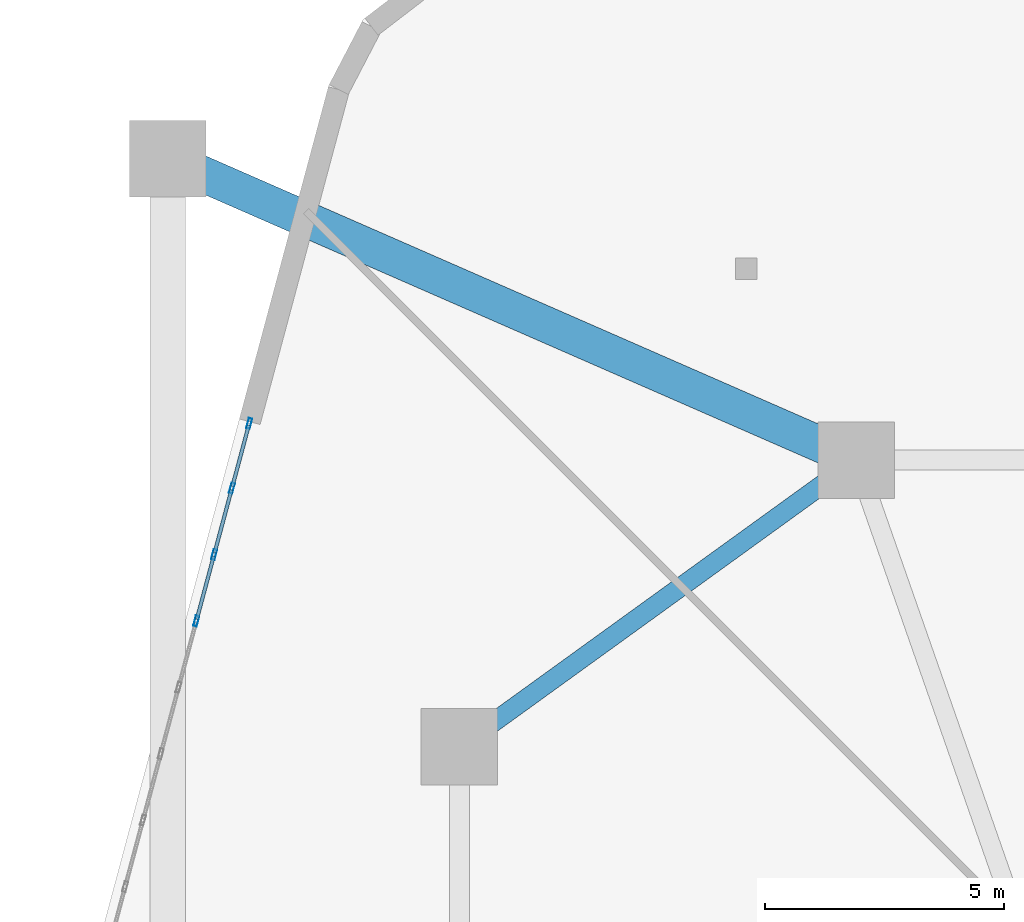
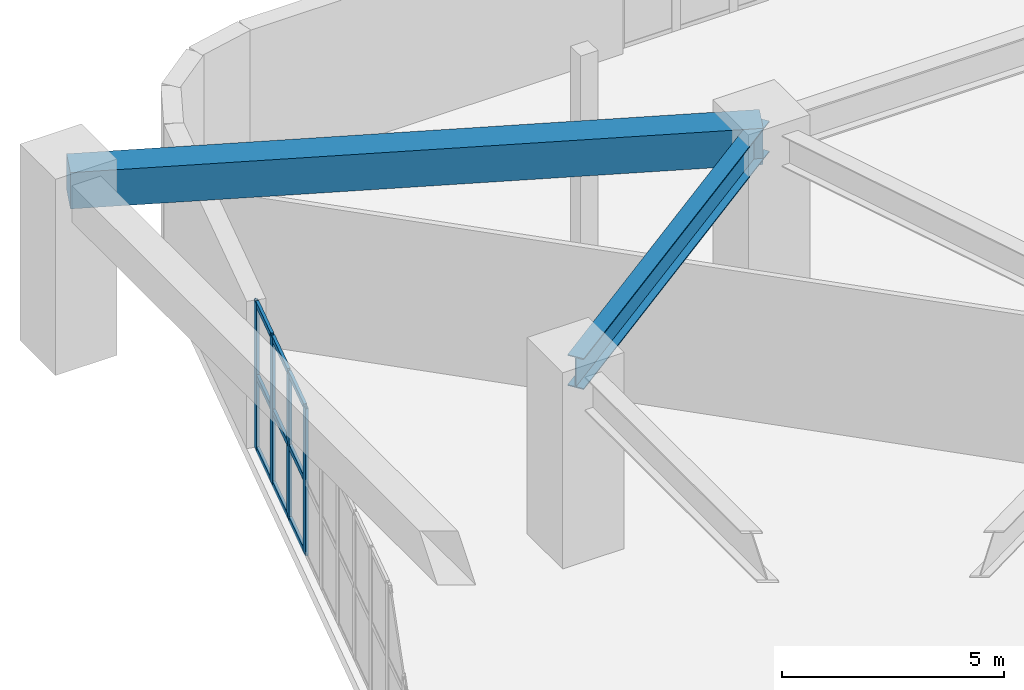
# One storey, part 17 of 34: 13 members, 2 beams, 1 element without a shape of its own.
"""IFC4 building model written with IfcOpenShell, lengths in metres."""

from ifc_helpers import new_model, si_unit, direction, frame, origin, origin_2d, place, context, subcontext, project, spatial, rectangle, hollow_rectangle, i_section, extrude, material, layer, layer_set, material_profile, profile_set, type_object, element, aggregate, save


model = new_model("IFC4")

# Units and contexts
model_context = context("Model", 3, precision=1e-05, world=origin(), true_north=direction((0.0, 1.0)))
body_context = subcontext(model_context, "Body", "Model", "MODEL_VIEW")
ifc_project = project(units=[si_unit("LENGTHUNIT", "METRE"), si_unit("AREAUNIT", "SQUARE_METRE"), si_unit("VOLUMEUNIT", "CUBIC_METRE"), si_unit("PLANEANGLEUNIT", "RADIAN"), si_unit("MASSUNIT", "GRAM", prefix="KILO")], contexts=[model_context])

# Site, building, storey
site_placement = place(None, origin())
site = spatial("IfcSite", under=ifc_project, at=site_placement, CompositionType="ELEMENT")
building_placement = place(site_placement, origin())
building = spatial("IfcBuilding", under=site, at=building_placement, Name="Kilnhurst Terrace Hotel", CompositionType="ELEMENT")
storey_placement = place(building_placement, frame((0.0, 0.0, 6.0)))
storey = spatial("IfcBuildingStorey", under=building, at=storey_placement, Name="L01", CompositionType="ELEMENT", Elevation=6.0)

# Beam
ifc_material_1 = material(Name="Steel ASTM A992 Grade 50", Category="steel")
ifc_material_profile_1 = material_profile(ifc_material_1, i_section(OverallWidth=0.39990234375, OverallDepth=0.85546875, WebThickness=0.018310546875, FlangeThickness=0.029296875, at=origin_2d()), Name="W33X201")
ifc_profile_set_1 = profile_set([ifc_material_profile_1], Name="Steel ASTM A992 Grade 50")
beam_type_1 = type_object("IfcBeamType", Name="BM-STL-W33X201", PredefinedType="BEAM", material=ifc_profile_set_1)
beam_1_placement = place(storey_placement, frame((-21.5, 13.5, 4.652099609375), z_axis=(0.810423314702, 0.585844732833, 0.0), x_axis=(-0.585844732833, 0.810423314702, 0.0)))
element("IfcBeam", 1, at=beam_1_placement, inside=storey, type_object=beam_type_1, Name="L01 Podium Frame Beam 3", PredefinedType="BEAM", context=body_context, shape_type="SweptSolid", body=[
    extrude(i_section(OverallWidth=0.39990234375, OverallDepth=0.85546875, WebThickness=0.018310546875, FlangeThickness=0.029296875, at=origin_2d()), origin(), (0.0, 0.0, 1.0), 10.24169921875),
])

# Curtain wall, members
ifc_material_2 = material(Name="Anodized Aluminium Alloy 6063-T6 and Low-E Glass", Category="aluminium")
ifc_layer = layer(ifc_material_2, 0.219970703125, Name="Anodized Aluminium Alloy 6063-T6 and Low-E Glass")
ifc_layer_set = layer_set([ifc_layer], Name="Anodized Aluminium Alloy 6063-T6 and Low-E Glass")
curtain_wall_type = type_object("IfcCurtainWallType", Name="CW-POD-LOBBY", PredefinedType="NOTDEFINED", material=ifc_layer_set)
curtain_wall_placement = place(storey_placement, origin())
curtain_wall = element("IfcCurtainWall", 2, at=curtain_wall_placement, inside=storey, type_object=curtain_wall_type, Name="L01 Curtain Wall CW-L01-F5-1", PredefinedType="NOTDEFINED")
ifc_material_3 = material(Name="Extruded Aluminium Alloy 6063-T6", Category="aluminium")
ifc_material_profile_2 = material_profile(ifc_material_3, hollow_rectangle(XDim=0.074951171875, YDim=0.219970703125, WallThickness=0.00390625, at=origin_2d()), Name="CWM75X220")
ifc_profile_set_2 = profile_set([ifc_material_profile_2], Name="Extruded Aluminium Alloy 6063-T6")
member_type_1 = type_object("IfcMemberType", Name="MEM-CWM75X220", PredefinedType="MULLION", material=ifc_profile_set_2)
member_1_placement = place(storey_placement, frame((-25.89501953125, 20.266357421875, 0.0), z_axis=(0.0, 0.0, 1.0), x_axis=(0.965930332636, -0.258802226601, 0.0)))
member_1 = element("IfcMember", 3, at=member_1_placement, type_object=member_type_1, Name="CWL-1 mullion 1", PredefinedType="MULLION", context=body_context, shape_type="SweptSolid", body=[
    extrude(hollow_rectangle(XDim=0.074951171875, YDim=0.219970703125, WallThickness=0.00390625, at=origin_2d()), origin(), (0.0, 0.0, 1.0), 4.050048828125),
])
member_2_placement = place(storey_placement, frame((-26.257568359375, 18.913330078125, 0.0), z_axis=(0.0, 0.0, 1.0), x_axis=(0.965930332636, -0.258802226601, 0.0)))
member_2 = element("IfcMember", 4, at=member_2_placement, type_object=member_type_1, Name="CWL-1 mullion 2", PredefinedType="MULLION", context=body_context, shape_type="SweptSolid", body=[
    extrude(hollow_rectangle(XDim=0.074951171875, YDim=0.219970703125, WallThickness=0.00390625, at=origin_2d()), origin(), (0.0, 0.0, 1.0), 4.050048828125),
])
member_3_placement = place(storey_placement, frame((-26.629638671875, 17.52392578125, 0.0), z_axis=(0.0, 0.0, 1.0), x_axis=(0.965930332636, -0.258802226601, 0.0)))
member_3 = element("IfcMember", 5, at=member_3_placement, type_object=member_type_1, Name="CWL-1 mullion 3", PredefinedType="MULLION", context=body_context, shape_type="SweptSolid", body=[
    extrude(hollow_rectangle(XDim=0.074951171875, YDim=0.219970703125, WallThickness=0.00390625, at=origin_2d()), origin(), (0.0, 0.0, 1.0), 4.050048828125),
])
member_4_placement = place(storey_placement, frame((-27.001953125, 16.134521484375, 0.0), z_axis=(0.0, 0.0, 1.0), x_axis=(0.965930332636, -0.258802226601, 0.0)))
member_4 = element("IfcMember", 6, at=member_4_placement, type_object=member_type_1, Name="CWL-1 mullion 4", PredefinedType="MULLION", context=body_context, shape_type="SweptSolid", body=[
    extrude(hollow_rectangle(XDim=0.074951171875, YDim=0.219970703125, WallThickness=0.00390625, at=origin_2d()), origin(), (0.0, 0.0, 1.0), 4.050048828125),
])
ifc_material_profile_3 = material_profile(ifc_material_3, hollow_rectangle(XDim=0.074951171875, YDim=0.14990234375, WallThickness=0.00390625, at=origin_2d()), Name="CWT75X150")
ifc_profile_set_3 = profile_set([ifc_material_profile_3], Name="Extruded Aluminium Alloy 6063-T6")
member_type_2 = type_object("IfcMemberType", Name="MEM-CWT75X150", PredefinedType="USERDEFINED", material=ifc_profile_set_3)
member_5_placement = place(storey_placement, frame((-25.904541015625, 20.230224609375, 0.03759765625), z_axis=(-0.258877201574, -0.965910241433, 0.0), x_axis=(0.965910241433, -0.258877201574, 0.0)))
member_5 = element("IfcMember", 7, at=member_5_placement, type_object=member_type_2, Name="CWL-1 transom 1.1", ObjectType="TRANSOM", PredefinedType="USERDEFINED", context=body_context, shape_type="SweptSolid", body=[
    extrude(hollow_rectangle(XDim=0.074951171875, YDim=0.14990234375, WallThickness=0.00390625, at=origin_2d()), origin(), (0.0, 0.0, 1.0), 1.325927734375),
])
member_6_placement = place(storey_placement, frame((-25.904541015625, 20.230224609375, 2.02490234375), z_axis=(-0.258877201574, -0.965910241433, 0.0), x_axis=(0.965910241433, -0.258877201574, 0.0)))
member_6 = element("IfcMember", 8, at=member_6_placement, type_object=member_type_2, Name="CWL-1 transom 1.2", ObjectType="TRANSOM", PredefinedType="USERDEFINED", context=body_context, shape_type="SweptSolid", body=[
    extrude(hollow_rectangle(XDim=0.074951171875, YDim=0.14990234375, WallThickness=0.00390625, at=origin_2d()), origin(), (0.0, 0.0, 1.0), 1.325927734375),
])
member_7_placement = place(storey_placement, frame((-25.904541015625, 20.230224609375, 4.012451171875), z_axis=(-0.258877201574, -0.965910241433, 0.0), x_axis=(0.965910241433, -0.258877201574, 0.0)))
member_7 = element("IfcMember", 9, at=member_7_placement, type_object=member_type_2, Name="CWL-1 transom 1.3", ObjectType="TRANSOM", PredefinedType="USERDEFINED", context=body_context, shape_type="SweptSolid", body=[
    extrude(hollow_rectangle(XDim=0.074951171875, YDim=0.14990234375, WallThickness=0.00390625, at=origin_2d()), origin(), (0.0, 0.0, 1.0), 1.325927734375),
])
member_8_placement = place(storey_placement, frame((-26.26708984375, 18.877197265625, 0.03759765625), z_axis=(-0.258888218607, -0.96590728865, 0.0), x_axis=(0.96590728865, -0.258888218607, 0.0)))
member_8 = element("IfcMember", 10, at=member_8_placement, type_object=member_type_2, Name="CWL-1 transom 2.1", ObjectType="TRANSOM", PredefinedType="USERDEFINED", context=body_context, shape_type="SweptSolid", body=[
    extrude(hollow_rectangle(XDim=0.074951171875, YDim=0.14990234375, WallThickness=0.00390625, at=origin_2d()), origin(), (0.0, 0.0, 1.0), 1.363525390625),
])
member_9_placement = place(storey_placement, frame((-26.26708984375, 18.877197265625, 2.02490234375), z_axis=(-0.258888218607, -0.96590728865, 0.0), x_axis=(0.96590728865, -0.258888218607, 0.0)))
member_9 = element("IfcMember", 11, at=member_9_placement, type_object=member_type_2, Name="CWL-1 transom 2.2", ObjectType="TRANSOM", PredefinedType="USERDEFINED", context=body_context, shape_type="SweptSolid", body=[
    extrude(hollow_rectangle(XDim=0.074951171875, YDim=0.14990234375, WallThickness=0.00390625, at=origin_2d()), origin(), (0.0, 0.0, 1.0), 1.363525390625),
])
member_10_placement = place(storey_placement, frame((-26.26708984375, 18.877197265625, 4.012451171875), z_axis=(-0.258888218607, -0.96590728865, 0.0), x_axis=(0.96590728865, -0.258888218607, 0.0)))
member_10 = element("IfcMember", 12, at=member_10_placement, type_object=member_type_2, Name="CWL-1 transom 2.3", ObjectType="TRANSOM", PredefinedType="USERDEFINED", context=body_context, shape_type="SweptSolid", body=[
    extrude(hollow_rectangle(XDim=0.074951171875, YDim=0.14990234375, WallThickness=0.00390625, at=origin_2d()), origin(), (0.0, 0.0, 1.0), 1.363525390625),
])
member_11_placement = place(storey_placement, frame((-26.639404296875, 17.48779296875, 0.03759765625), z_axis=(-0.25872116915, -0.965952046757, 0.0), x_axis=(0.965952046757, -0.25872116915, 0.0)))
member_11 = element("IfcMember", 13, at=member_11_placement, type_object=member_type_2, Name="CWL-1 transom 3.1", ObjectType="TRANSOM", PredefinedType="USERDEFINED", context=body_context, shape_type="SweptSolid", body=[
    extrude(hollow_rectangle(XDim=0.074951171875, YDim=0.14990234375, WallThickness=0.00390625, at=origin_2d()), origin(), (0.0, 0.0, 1.0), 1.363525390625),
])
member_12_placement = place(storey_placement, frame((-26.639404296875, 17.48779296875, 2.02490234375), z_axis=(-0.25872116915, -0.965952046757, 0.0), x_axis=(0.965952046757, -0.25872116915, 0.0)))
member_12 = element("IfcMember", 14, at=member_12_placement, type_object=member_type_2, Name="CWL-1 transom 3.2", ObjectType="TRANSOM", PredefinedType="USERDEFINED", context=body_context, shape_type="SweptSolid", body=[
    extrude(hollow_rectangle(XDim=0.074951171875, YDim=0.14990234375, WallThickness=0.00390625, at=origin_2d()), origin(), (0.0, 0.0, 1.0), 1.363525390625),
])
member_13_placement = place(storey_placement, frame((-26.639404296875, 17.48779296875, 4.012451171875), z_axis=(-0.25872116915, -0.965952046757, 0.0), x_axis=(0.965952046757, -0.25872116915, 0.0)))
member_13 = element("IfcMember", 15, at=member_13_placement, type_object=member_type_2, Name="CWL-1 transom 3.3", ObjectType="TRANSOM", PredefinedType="USERDEFINED", context=body_context, shape_type="SweptSolid", body=[
    extrude(hollow_rectangle(XDim=0.074951171875, YDim=0.14990234375, WallThickness=0.00390625, at=origin_2d()), origin(), (0.0, 0.0, 1.0), 1.363525390625),
])
aggregate(curtain_wall, [member_1, member_2, member_3, member_4, member_5, member_6, member_7, member_8, member_9, member_10, member_11, member_12, member_13])

# Beam
ifc_material_4 = material(Name="Concrete C50/60", Category="concrete")
ifc_material_profile_4 = material_profile(ifc_material_4, rectangle(XDim=0.75, YDim=1.0, at=origin_2d()), Name="RC750X1000")
ifc_profile_set_4 = profile_set([ifc_material_profile_4], Name="Concrete C50/60")
beam_type_2 = type_object("IfcBeamType", Name="TBM-GAR-750X1000", PredefinedType="T_BEAM", material=ifc_profile_set_4)
beam_2_placement = place(storey_placement, frame((-27.60009765625, 25.800048828125, 4.580078125), z_axis=(0.916157691387, -0.400818019196, 0.0), x_axis=(0.400818019196, 0.916157691387, 0.0)))
element("IfcBeam", 16, at=beam_2_placement, inside=storey, type_object=beam_type_2, Name="L01 Outer Ring Tee Beam 3", PredefinedType="T_BEAM", context=body_context, shape_type="SweptSolid", body=[
    extrude(rectangle(XDim=0.75, YDim=1.0, at=origin_2d()), origin(), (0.0, 0.0, 1.0), 15.718017578125),
])

save(model, "model.ifc")
